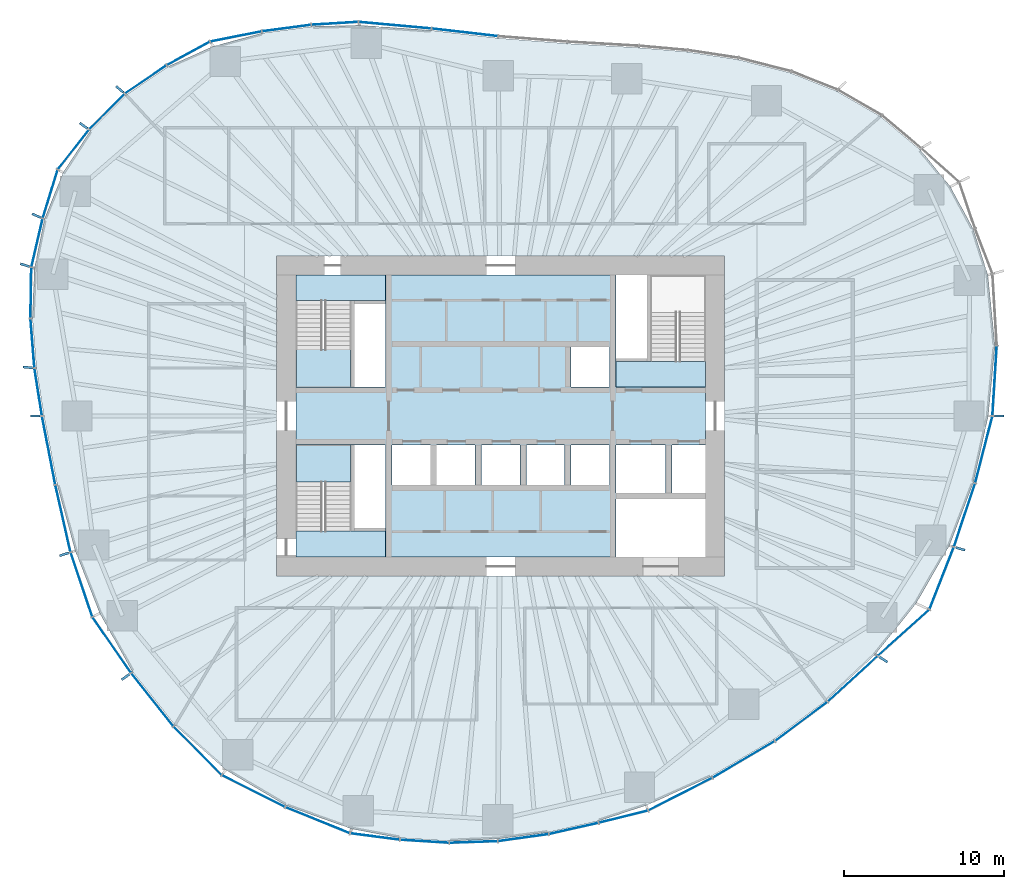
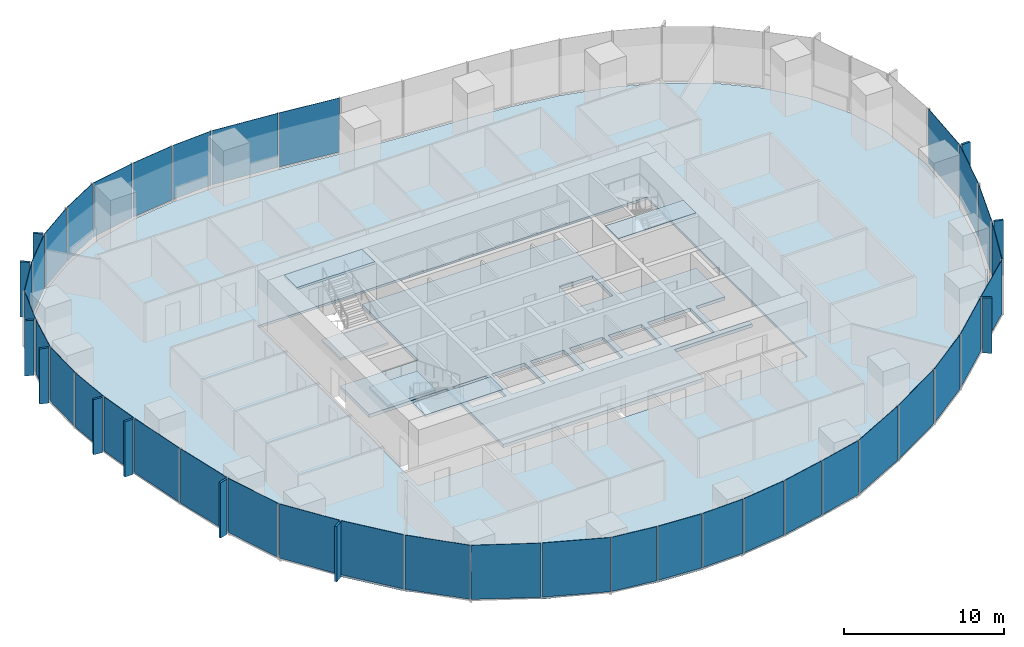
# One storey, part 7 of 20: 48 plates, 7 slabs, 19 elements without a shape of their own.
"""IFC4 building model written with IfcOpenShell, lengths in metres."""

import ifcopenshell
import ifcopenshell.guid

model = None  # the IFC model being written
_history = None  # IfcOwnerHistory: only IFC2X3 demands one
_inside = {}  # id of a spatial element -> (the spatial element, [elements in it])
_under = {}  # id of a project, library or spatial element -> (it, [spatial elements below it])
_declared = {}  # id of a project -> (the project, [libraries it declares])
_typed = {}  # id of a type object -> (the type object, [elements of that type])
_made_of = {}  # id of a material, layer set ... -> (it, [elements and type objects made of it])


def new_model(schema):
    """Start an empty IFC model of exactly this schema.

    Asked for "IFC4X3", IfcOpenShell would pick the latest addendum, in which some entities
    have other attributes; the version numbers below select the first issue.
    IFC2X3 requires an IfcOwnerHistory on every rooted entity: one is made here for all.
    """
    global model, _history
    if schema == "IFC4X3":
        model = ifcopenshell.file(schema_version=(4, 3, 0, 0))
    else:
        model = ifcopenshell.file(schema=schema)
    _inside.clear()
    _under.clear()
    _declared.clear()
    _typed.clear()
    _made_of.clear()
    _history = None
    if model.schema == "IFC2X3":
        org = make("IfcOrganization", Name="unknown")
        user = make(
            "IfcPersonAndOrganization",
            ThePerson=make("IfcPerson", FamilyName="unknown"),
            TheOrganization=org,
        )
        app = make(
            "IfcApplication",
            ApplicationDeveloper=org,
            Version="unknown",
            ApplicationFullName="unknown",
            ApplicationIdentifier="unknown",
        )
        _history = make(
            "IfcOwnerHistory",
            OwningUser=user,
            OwningApplication=app,
            ChangeAction="ADDED",
            CreationDate=0,
        )
    return model


def make(cls, **values):
    """One entity of the class cls with the attributes given. An attribute that is None is left unset."""
    return model.create_entity(
        cls, **{name: value for name, value in values.items() if value is not None}
    )


def rooted(cls, **values):
    """An entity with a GlobalId (a new one), such as an element, a storey or a relation."""
    return make(cls, GlobalId=ifcopenshell.guid.new(), OwnerHistory=_history, **values)


def si_unit(unit_type, name, prefix=None):
    """IfcSIUnit, for example si_unit("LENGTHUNIT", "METRE", prefix="MILLI")."""
    return make("IfcSIUnit", UnitType=unit_type, Prefix=prefix, Name=name)


def assignment(units):
    """IfcUnitAssignment: the units of a project."""
    return None if units is None else make("IfcUnitAssignment", Units=units)


def point(xyz):
    """IfcCartesianPoint."""
    return None if xyz is None else make("IfcCartesianPoint", Coordinates=xyz)


def direction(xyz):
    """IfcDirection."""
    return None if xyz is None else make("IfcDirection", DirectionRatios=xyz)


def frame(location, z_axis=None, x_axis=None):
    """IfcAxis2Placement3D, a coordinate frame: its origin and axes. An axis left out is left unset."""
    return make(
        "IfcAxis2Placement3D",
        Location=point(location),
        Axis=direction(z_axis),
        RefDirection=direction(x_axis),
    )


def frame_2d(location, x_axis=None):
    """IfcAxis2Placement2D, a coordinate frame in the plane: its origin and x axis."""
    return make(
        "IfcAxis2Placement2D", Location=point(location), RefDirection=direction(x_axis)
    )


def origin():
    """The frame at (0, 0, 0) with its axes left unset."""
    return frame((0.0, 0.0, 0.0))


def origin_2d():
    """The frame at (0, 0) in the plane with its x axis left unset."""
    return frame_2d((0.0, 0.0))


def place(relative_to, where):
    """IfcLocalPlacement: puts the frame where relative to a parent placement (None: the world)."""
    return make(
        "IfcLocalPlacement", PlacementRelTo=relative_to, RelativePlacement=where
    )


def context(
    kind, dimensions, precision=None, world=None, true_north=None, identifier=None
):
    """IfcGeometricRepresentationContext, for example the 3D "Model" context."""
    return make(
        "IfcGeometricRepresentationContext",
        ContextIdentifier=identifier,
        ContextType=kind,
        CoordinateSpaceDimension=dimensions,
        Precision=precision,
        WorldCoordinateSystem=world,
        TrueNorth=true_north,
    )


def subcontext(parent, identifier, kind, view, scale=None):
    """IfcGeometricRepresentationSubContext, for example "Body" below "Model"."""
    return make(
        "IfcGeometricRepresentationSubContext",
        ContextIdentifier=identifier,
        ContextType=kind,
        ParentContext=parent,
        TargetScale=scale,
        TargetView=view,
    )


def project(units=None, contexts=None):
    """IfcProject with its units and contexts."""
    return rooted(
        "IfcProject",
        Name="project",
        RepresentationContexts=contexts,
        UnitsInContext=assignment(units),
    )


def spatial(cls, under=None, at=None, **own):
    """A site, building, storey or space (cls), placed at a placement, below another one or the project."""
    s = rooted(cls, ObjectPlacement=at, **own)
    if under is not None:
        _under.setdefault(under.id(), (under, []))[1].append(s)
    return s


def polyline(points):
    """IfcPolyline through the points."""
    return make("IfcPolyline", Points=[point(p) for p in points])


def profile(cls, at=None, kind="AREA", **sizes):
    """A parametric profile (cls). Its sizes go by their IFC names, for example OverallWidth=200.0."""
    return make(cls, ProfileType=kind, Position=at, **sizes)


def rectangle(**sizes):
    """IfcRectangleProfileDef."""
    return profile("IfcRectangleProfileDef", **sizes)


def outline(outer, holes=None, kind="AREA"):
    """IfcArbitraryClosedProfileDef: a profile drawn as a closed curve; with holes, ...WithVoids."""
    if holes is None:
        return make("IfcArbitraryClosedProfileDef", ProfileType=kind, OuterCurve=outer)
    return make(
        "IfcArbitraryProfileDefWithVoids",
        ProfileType=kind,
        OuterCurve=outer,
        InnerCurves=holes,
    )


def extrude(swept, where, along, depth):
    """IfcExtrudedAreaSolid: the profile swept, set in the frame where, extruded along a direction by depth."""
    return make(
        "IfcExtrudedAreaSolid",
        SweptArea=swept,
        Position=where,
        ExtrudedDirection=direction(along),
        Depth=depth,
    )


def shape(context_of_items, identifier, shape_type, items):
    """IfcShapeRepresentation: the items that make up one representation, for example the "Body"."""
    return make(
        "IfcShapeRepresentation",
        ContextOfItems=context_of_items,
        RepresentationIdentifier=identifier,
        RepresentationType=shape_type,
        Items=items,
    )


def material(Name=None, Category=None):
    """IfcMaterial."""
    return make("IfcMaterial", Name=Name, Category=Category)


def layer(
    of_material, thickness, ventilated=None, Name=None, Category=None, Priority=None
):
    """IfcMaterialLayer: one layer of a wall or slab, of a material (None: an air gap)."""
    return make(
        "IfcMaterialLayer",
        Material=of_material,
        LayerThickness=thickness,
        IsVentilated=ventilated,
        Name=Name,
        Category=Category,
        Priority=Priority,
    )


def layer_set(layers, Name=None):
    """IfcMaterialLayerSet."""
    return make("IfcMaterialLayerSet", MaterialLayers=layers, LayerSetName=Name)


def made_of(thing, what):
    """Note that an element or type object is made of a material, layer set ...; save() writes the relation."""
    if what is not None:
        _made_of.setdefault(what.id(), (what, []))[1].append(thing)
    return thing


def type_object(cls, material=None, **own):
    """A type object (cls), such as IfcWallType, which elements share."""
    return made_of(rooted(cls, **own), material)


def element(
    cls,
    number,
    at=None,
    inside=None,
    cuts=None,
    type_object=None,
    material=None,
    context=None,
    identifier="Body",
    shape_type=None,
    held_by="IfcProductDefinitionShape",
    body=None,
    shapes=None,
    **own,
):
    """One element of the class cls, such as IfcWall. Its Tag is "e" and its number.

    at: its placement. inside: the storey or other place that contains it. cuts: it is an
    opening in that element (IfcRelVoidsElement). A single representation is given by context,
    identifier, shape_type and body (its items); several are given by shapes. held_by: the class
    of the entity that holds the representations. save() writes the other relations.
    """
    e = rooted(cls, Tag="e%d" % number, ObjectPlacement=at, **own)
    if body is not None:
        shapes = [shape(context, identifier, shape_type, body)]
    if shapes is not None:
        e.Representation = make(held_by, Representations=shapes)
    if inside is not None:
        _inside.setdefault(inside.id(), (inside, []))[1].append(e)
    if cuts is not None:
        rooted(
            "IfcRelVoidsElement", RelatingBuildingElement=cuts, RelatedOpeningElement=e
        )
    if type_object is not None:
        _typed.setdefault(type_object.id(), (type_object, []))[1].append(e)
    return made_of(e, material)


def aggregate(whole, parts):
    """IfcRelAggregates: a whole, such as a stair, and the parts it consists of."""
    return rooted("IfcRelAggregates", RelatingObject=whole, RelatedObjects=parts)


def save(model, path):
    """Write the relations noted so far, then the file.

    IfcRelAggregates (storeys below a building ...), IfcRelContainedInSpatialStructure (elements
    in a storey), IfcRelDefinesByType, IfcRelAssociatesMaterial and IfcRelDeclares: one each for
    every whole, place, type object, material and project.
    """
    for whole, parts in _under.values():
        aggregate(whole, parts)
    for where, things in _inside.values():
        rooted(
            "IfcRelContainedInSpatialStructure",
            RelatedElements=things,
            RelatingStructure=where,
        )
    for kind, things in _typed.values():
        rooted("IfcRelDefinesByType", RelatedObjects=things, RelatingType=kind)
    for what, things in _made_of.values():
        rooted("IfcRelAssociatesMaterial", RelatedObjects=things, RelatingMaterial=what)
    for by, libraries in _declared.values():
        rooted("IfcRelDeclares", RelatingContext=by, RelatedDefinitions=libraries)
    model.write(path)


model = new_model("IFC4")

# Units and contexts
model_context = context("Model", 3, precision=1e-05, world=origin(), true_north=direction((0.0, 1.0)))
body_context = subcontext(model_context, "Body", "Model", "MODEL_VIEW")
ifc_project = project(units=[si_unit("LENGTHUNIT", "METRE"), si_unit("AREAUNIT", "SQUARE_METRE"), si_unit("VOLUMEUNIT", "CUBIC_METRE"), si_unit("PLANEANGLEUNIT", "RADIAN"), si_unit("MASSUNIT", "GRAM", prefix="KILO")], contexts=[model_context])

# Site, building, storey
site_placement = place(None, origin())
site = spatial("IfcSite", under=ifc_project, at=site_placement, CompositionType="ELEMENT")
building_placement = place(site_placement, origin())
building = spatial("IfcBuilding", under=site, at=building_placement, Name="Ghaith Harvest Tower", CompositionType="ELEMENT")
storey_placement = place(building_placement, frame((0.0, 0.0, 109.199951171875)))
storey = spatial("IfcBuildingStorey", under=building, at=storey_placement, Name="L22", CompositionType="ELEMENT", Elevation=109.199951171875)

# Curtain wall, plate
ifc_material_1 = material(Name="Black anodised aluminium and fritted glass", Category="aluminium")
curtain_wall_type = type_object("IfcCurtainWallType", Name="CW-L CURTAIN WALL", PredefinedType="NOTDEFINED", material=ifc_material_1)
curtain_wall_1_placement = place(storey_placement, origin())
curtain_wall_1 = element("IfcCurtainWall", 1, at=curtain_wall_1_placement, inside=storey, type_object=curtain_wall_type, Name="Curtain wall CW-L bay 01 L22", PredefinedType="NOTDEFINED")
ifc_material_2 = material(Name="Glass, dark solar-control fritted double glazed unit", Category="glass")
ifc_layer_1 = layer(ifc_material_2, 0.031982421875)
ifc_layer_set_1 = layer_set([ifc_layer_1], Name="CW-L VISION PANEL")
plate_type_1 = type_object("IfcPlateType", Name="CW-L VISION PANEL", PredefinedType="CURTAIN_PANEL", material=ifc_layer_set_1)
plate_1_placement = place(storey_placement, frame((30.86376953125, 2.19482421875, 0.080078125), z_axis=(0.0, 0.0, 1.0), x_axis=(0.061379619468, 0.99811449359, 0.0)))
plate_1 = element("IfcPlate", 2, at=plate_1_placement, type_object=plate_type_1, Name="CW-L glass unit 1 bay 01 L22", PredefinedType="CURTAIN_PANEL", context=body_context, shape_type="SweptSolid", body=[
    extrude(rectangle(XDim=4.318115234375, YDim=0.031982421875, at=origin_2d()), origin(), (0.0, 0.0, 1.0), 4.1201171875),
])
aggregate(curtain_wall_1, [plate_1])

# Curtain wall, plates
curtain_wall_2_placement = place(storey_placement, origin())
curtain_wall_2 = element("IfcCurtainWall", 3, at=curtain_wall_2_placement, inside=storey, type_object=curtain_wall_type, Name="Curtain wall CW-L bay 06 L22", PredefinedType="NOTDEFINED")
plate_2_placement = place(storey_placement, frame((-2.24267578125, 23.968505859375, 0.080078125), z_axis=(0.0, 0.0, 1.0), x_axis=(-0.993477024646, 0.114032458099, 0.0)))
plate_2 = element("IfcPlate", 4, at=plate_2_placement, type_object=plate_type_1, Name="CW-L glass unit 1 bay 06 L22", PredefinedType="CURTAIN_PANEL", context=body_context, shape_type="SweptSolid", body=[
    extrude(rectangle(XDim=4.10791015625, YDim=0.031982421875, at=origin_2d()), origin(), (0.0, 0.0, 1.0), 4.1201171875),
])
plate_3_placement = place(storey_placement, frame((-6.607666015625, 24.4140625, 0.080078125), z_axis=(0.0, 0.0, 1.0), x_axis=(-0.995928776302, 0.090143621701, 0.0)))
plate_3 = element("IfcPlate", 5, at=plate_3_placement, type_object=plate_type_1, Name="CW-L glass unit 2 bay 06 L22", PredefinedType="CURTAIN_PANEL", context=body_context, shape_type="SweptSolid", body=[
    extrude(rectangle(XDim=4.508056640625, YDim=0.031982421875, at=origin_2d()), origin(), (0.0, 0.0, 1.0), 4.1201171875),
])
aggregate(curtain_wall_2, [plate_2, plate_3])

curtain_wall_3_placement = place(storey_placement, origin())
curtain_wall_3 = element("IfcCurtainWall", 6, at=curtain_wall_3_placement, inside=storey, type_object=curtain_wall_type, Name="Curtain wall CW-L bay 07 L22", PredefinedType="NOTDEFINED")
plate_4_placement = place(storey_placement, frame((-10.36669921875, 24.5302734375, 0.080078125), z_axis=(0.0, 0.0, 1.0), x_axis=(-0.998119199641, -0.061303044853, 0.0)))
plate_4 = element("IfcPlate", 7, at=plate_4_placement, type_object=plate_type_1, Name="CW-L glass unit 1 bay 07 L22", PredefinedType="CURTAIN_PANEL", context=body_context, shape_type="SweptSolid", body=[
    extrude(rectangle(XDim=2.874267578125, YDim=0.031982421875, at=origin_2d()), origin(), (0.0, 0.0, 1.0), 4.1201171875),
])
plate_5_placement = place(storey_placement, frame((-13.382568359375, 24.23486328125, 0.080078125), z_axis=(0.0, 0.0, 1.0), x_axis=(-0.991285895369, -0.131728029071, 0.0)))
plate_5 = element("IfcPlate", 8, at=plate_5_placement, type_object=plate_type_1, Name="CW-L glass unit 2 bay 07 L22", PredefinedType="CURTAIN_PANEL", context=body_context, shape_type="SweptSolid", body=[
    extrude(rectangle(XDim=3.02978515625, YDim=0.031982421875, at=origin_2d()), origin(), (0.0, 0.0, 1.0), 4.1201171875),
])
plate_6_placement = place(storey_placement, frame((-16.54443359375, 23.7099609375, 0.080078125), z_axis=(0.0, 0.0, 1.0), x_axis=(-0.981037550101, -0.193817763096, 0.0)))
plate_6 = element("IfcPlate", 9, at=plate_6_placement, type_object=plate_type_1, Name="CW-L glass unit 3 bay 07 L22", PredefinedType="CURTAIN_PANEL", context=body_context, shape_type="SweptSolid", body=[
    extrude(rectangle(XDim=3.22412109375, YDim=0.031982421875, at=origin_2d()), origin(), (0.0, 0.0, 1.0), 4.1201171875),
])
aggregate(curtain_wall_3, [plate_4, plate_5, plate_6])

curtain_wall_4_placement = place(storey_placement, origin())
curtain_wall_4 = element("IfcCurtainWall", 10, at=curtain_wall_4_placement, inside=storey, type_object=curtain_wall_type, Name="Curtain wall CW-L bay 08 L22", PredefinedType="NOTDEFINED")
plate_7_placement = place(storey_placement, frame((-19.520263671875, 22.650634765625, 0.080078125), z_axis=(0.0, 0.0, 1.0), x_axis=(-0.877940384665, -0.478769966659, 0.0)))
plate_7 = element("IfcPlate", 11, at=plate_7_placement, type_object=plate_type_1, Name="CW-L glass unit 1 bay 08 L22", PredefinedType="CURTAIN_PANEL", context=body_context, shape_type="SweptSolid", body=[
    extrude(rectangle(XDim=3.007080078125, YDim=0.031982421875, at=origin_2d()), origin(), (0.0, 0.0, 1.0), 4.1201171875),
])
plate_8_placement = place(storey_placement, frame((-22.182373046875, 21.025390625, 0.080078125), z_axis=(0.0, 0.0, 1.0), x_axis=(-0.827674847773, -0.561207935051, 0.0)))
plate_8 = element("IfcPlate", 12, at=plate_8_placement, type_object=plate_type_1, Name="CW-L glass unit 2 bay 08 L22", PredefinedType="CURTAIN_PANEL", context=body_context, shape_type="SweptSolid", body=[
    extrude(rectangle(XDim=3.078369140625, YDim=0.031982421875, at=origin_2d()), origin(), (0.0, 0.0, 1.0), 4.1201171875),
])
plate_9_placement = place(storey_placement, frame((-24.603759765625, 19.01708984375, 0.080078125), z_axis=(0.0, 0.0, 1.0), x_axis=(-0.704613943896, -0.709590861037, 0.0)))
plate_9 = element("IfcPlate", 13, at=plate_9_placement, type_object=plate_type_1, Name="CW-L glass unit 3 bay 08 L22", PredefinedType="CURTAIN_PANEL", context=body_context, shape_type="SweptSolid", body=[
    extrude(rectangle(XDim=3.0830078125, YDim=0.031982421875, at=origin_2d()), origin(), (0.0, 0.0, 1.0), 4.1201171875),
])
aggregate(curtain_wall_4, [plate_7, plate_8, plate_9])

curtain_wall_5_placement = place(storey_placement, origin())
curtain_wall_5 = element("IfcCurtainWall", 14, at=curtain_wall_5_placement, inside=storey, type_object=curtain_wall_type, Name="Curtain wall CW-L bay 09 L22", PredefinedType="NOTDEFINED")
plate_10_placement = place(storey_placement, frame((-26.69873046875, 16.644775390625, 0.080078125), z_axis=(0.0, 0.0, 1.0), x_axis=(-0.617140806324, -0.786852734106, 0.0)))
plate_10 = element("IfcPlate", 15, at=plate_10_placement, type_object=plate_type_1, Name="CW-L glass unit 1 bay 09 L22", PredefinedType="CURTAIN_PANEL", context=body_context, shape_type="SweptSolid", body=[
    extrude(rectangle(XDim=3.09765625, YDim=0.031982421875, at=origin_2d()), origin(), (0.0, 0.0, 1.0), 4.1201171875),
])
plate_11_placement = place(storey_placement, frame((-28.14794921875, 13.869140625, 0.080078125), z_axis=(0.0, 0.0, 1.0), x_axis=(-0.293802674087, -0.955866093498, 0.0)))
plate_11 = element("IfcPlate", 16, at=plate_11_placement, type_object=plate_type_1, Name="CW-L glass unit 2 bay 09 L22", PredefinedType="CURTAIN_PANEL", context=body_context, shape_type="SweptSolid", body=[
    extrude(rectangle(XDim=3.111328125, YDim=0.031982421875, at=origin_2d()), origin(), (0.0, 0.0, 1.0), 4.1201171875),
])
plate_12_placement = place(storey_placement, frame((-28.9716796875, 10.819091796875, 0.080078125), z_axis=(0.0, 0.0, 1.0), x_axis=(-0.226698962458, -0.973964876379, 0.0)))
plate_12 = element("IfcPlate", 17, at=plate_12_placement, type_object=plate_type_1, Name="CW-L glass unit 3 bay 09 L22", PredefinedType="CURTAIN_PANEL", context=body_context, shape_type="SweptSolid", body=[
    extrude(rectangle(XDim=3.05126953125, YDim=0.031982421875, at=origin_2d()), origin(), (0.0, 0.0, 1.0), 4.1201171875),
])
aggregate(curtain_wall_5, [plate_10, plate_11, plate_12])

curtain_wall_6_placement = place(storey_placement, origin())
curtain_wall_6 = element("IfcCurtainWall", 18, at=curtain_wall_6_placement, inside=storey, type_object=curtain_wall_type, Name="Curtain wall CW-L bay 10 L22", PredefinedType="NOTDEFINED")
plate_13_placement = place(storey_placement, frame((-29.352294921875, 7.695068359375, 0.080078125), z_axis=(0.0, 0.0, 1.0), x_axis=(-0.016034106433, -0.999871445452, 0.0)))
plate_13 = element("IfcPlate", 19, at=plate_13_placement, type_object=plate_type_1, Name="CW-L glass unit 1 bay 10 L22", PredefinedType="CURTAIN_PANEL", context=body_context, shape_type="SweptSolid", body=[
    extrude(rectangle(XDim=3.118408203125, YDim=0.031982421875, at=origin_2d()), origin(), (0.0, 0.0, 1.0), 4.1201171875),
])
plate_14_placement = place(storey_placement, frame((-29.25439453125, 4.54345703125, 0.080078125), z_axis=(0.0, 0.0, 1.0), x_axis=(0.079273335663, -0.996852917061, 0.0)))
plate_14 = element("IfcPlate", 20, at=plate_14_placement, type_object=plate_type_1, Name="CW-L glass unit 2 bay 10 L22", PredefinedType="CURTAIN_PANEL", context=body_context, shape_type="SweptSolid", body=[
    extrude(rectangle(XDim=3.035400390625, YDim=0.031982421875, at=origin_2d()), origin(), (0.0, 0.0, 1.0), 4.1201171875),
])
plate_15_placement = place(storey_placement, frame((-28.896240234375, 1.495361328125, 0.080078125), z_axis=(0.0, 0.0, 1.0), x_axis=(0.155172175389, -0.987887440949, 0.0)))
plate_15 = element("IfcPlate", 21, at=plate_15_placement, type_object=plate_type_1, Name="CW-L glass unit 3 bay 10 L22", PredefinedType="CURTAIN_PANEL", context=body_context, shape_type="SweptSolid", body=[
    extrude(rectangle(XDim=2.947265625, YDim=0.031982421875, at=origin_2d()), origin(), (0.0, 0.0, 1.0), 4.1201171875),
])
aggregate(curtain_wall_6, [plate_13, plate_14, plate_15])

curtain_wall_7_placement = place(storey_placement, origin())
curtain_wall_7 = element("IfcCurtainWall", 22, at=curtain_wall_7_placement, inside=storey, type_object=curtain_wall_type, Name="Curtain wall CW-L bay 11 L22", PredefinedType="NOTDEFINED")
plate_16_placement = place(storey_placement, frame((-28.24462890625, -2.152099609375, 0.080078125), z_axis=(0.0, 0.0, 1.0), x_axis=(0.190044913274, -0.981775397399, 0.0)))
plate_16 = element("IfcPlate", 23, at=plate_16_placement, type_object=plate_type_1, Name="CW-L glass unit 1 bay 11 L22", PredefinedType="CURTAIN_PANEL", context=body_context, shape_type="SweptSolid", body=[
    extrude(rectangle(XDim=4.303955078125, YDim=0.031982421875, at=origin_2d()), origin(), (0.0, 0.0, 1.0), 4.1201171875),
])
plate_17_placement = place(storey_placement, frame((-27.351806640625, -6.41064453125, 0.080078125), z_axis=(0.0, 0.0, 1.0), x_axis=(0.220483469245, -0.975390711351, 0.0)))
plate_17 = element("IfcPlate", 24, at=plate_17_placement, type_object=plate_type_1, Name="CW-L glass unit 2 bay 11 L22", PredefinedType="CURTAIN_PANEL", context=body_context, shape_type="SweptSolid", body=[
    extrude(rectangle(XDim=4.239501953125, YDim=0.031982421875, at=origin_2d()), origin(), (0.0, 0.0, 1.0), 4.1201171875),
])
aggregate(curtain_wall_7, [plate_16, plate_17])

curtain_wall_8_placement = place(storey_placement, origin())
curtain_wall_8 = element("IfcCurtainWall", 25, at=curtain_wall_8_placement, inside=storey, type_object=curtain_wall_type, Name="Curtain wall CW-L bay 12 L22", PredefinedType="NOTDEFINED")
plate_18_placement = place(storey_placement, frame((-26.194580078125, -10.537841796875, 0.080078125), z_axis=(0.0, 0.0, 1.0), x_axis=(0.319477383729, -0.947593901039, 0.0)))
plate_18 = element("IfcPlate", 26, at=plate_18_placement, type_object=plate_type_1, Name="CW-L glass unit 1 bay 12 L22", PredefinedType="CURTAIN_PANEL", context=body_context, shape_type="SweptSolid", body=[
    extrude(rectangle(XDim=4.184326171875, YDim=0.031982421875, at=origin_2d()), origin(), (0.0, 0.0, 1.0), 4.1201171875),
])
plate_19_placement = place(storey_placement, frame((-24.3017578125, -14.312255859375, 0.080078125), z_axis=(0.0, 0.0, 1.0), x_axis=(0.568347699633, -0.822788485774, 0.0)))
plate_19 = element("IfcPlate", 27, at=plate_19_placement, type_object=plate_type_1, Name="CW-L glass unit 2 bay 12 L22", PredefinedType="CURTAIN_PANEL", context=body_context, shape_type="SweptSolid", body=[
    extrude(rectangle(XDim=4.18359375, YDim=0.031982421875, at=origin_2d()), origin(), (0.0, 0.0, 1.0), 4.1201171875),
])
aggregate(curtain_wall_8, [plate_18, plate_19])

curtain_wall_9_placement = place(storey_placement, origin())
curtain_wall_9 = element("IfcCurtainWall", 28, at=curtain_wall_9_placement, inside=storey, type_object=curtain_wall_type, Name="Curtain wall CW-L bay 13 L22", PredefinedType="NOTDEFINED")
plate_20_placement = place(storey_placement, frame((-21.765625, -17.7314453125, 0.080078125), z_axis=(0.0, 0.0, 1.0), x_axis=(0.622507360482, -0.782613944513, 0.0)))
plate_20 = element("IfcPlate", 29, at=plate_20_placement, type_object=plate_type_1, Name="CW-L glass unit 1 bay 13 L22", PredefinedType="CURTAIN_PANEL", context=body_context, shape_type="SweptSolid", body=[
    extrude(rectangle(XDim=4.175537109375, YDim=0.031982421875, at=origin_2d()), origin(), (0.0, 0.0, 1.0), 4.1201171875),
])
plate_21_placement = place(storey_placement, frame((-18.935791015625, -20.920166015625, 0.080078125), z_axis=(0.0, 0.0, 1.0), x_axis=(0.702843151286, -0.711344856375, 0.0)))
plate_21 = element("IfcPlate", 30, at=plate_21_placement, type_object=plate_type_1, Name="CW-L glass unit 2 bay 13 L22", PredefinedType="CURTAIN_PANEL", context=body_context, shape_type="SweptSolid", body=[
    extrude(rectangle(XDim=4.203369140625, YDim=0.031982421875, at=origin_2d()), origin(), (0.0, 0.0, 1.0), 4.1201171875),
])
aggregate(curtain_wall_9, [plate_20, plate_21])

curtain_wall_10_placement = place(storey_placement, origin())
curtain_wall_10 = element("IfcCurtainWall", 31, at=curtain_wall_10_placement, inside=storey, type_object=curtain_wall_type, Name="Curtain wall CW-L bay 14 L22", PredefinedType="NOTDEFINED")
plate_22_placement = place(storey_placement, frame((-15.44677734375, -23.443115234375, 0.080078125), z_axis=(0.0, 0.0, 1.0), x_axis=(0.893062297869, -0.449933030712, 0.0)))
plate_22 = element("IfcPlate", 32, at=plate_22_placement, type_object=plate_type_1, Name="CW-L glass unit 1 bay 14 L22", PredefinedType="CURTAIN_PANEL", context=body_context, shape_type="SweptSolid", body=[
    extrude(rectangle(XDim=4.362548828125, YDim=0.031982421875, at=origin_2d()), origin(), (0.0, 0.0, 1.0), 4.1201171875),
])
plate_23_placement = place(storey_placement, frame((-11.441162109375, -25.260498046875, 0.080078125), z_axis=(0.0, 0.0, 1.0), x_axis=(0.927002522537, -0.375055093567, 0.0)))
plate_23 = element("IfcPlate", 33, at=plate_23_placement, type_object=plate_type_1, Name="CW-L glass unit 2 bay 14 L22", PredefinedType="CURTAIN_PANEL", context=body_context, shape_type="SweptSolid", body=[
    extrude(rectangle(XDim=4.282470703125, YDim=0.031982421875, at=origin_2d()), origin(), (0.0, 0.0, 1.0), 4.1201171875),
])
aggregate(curtain_wall_10, [plate_22, plate_23])

curtain_wall_11_placement = place(storey_placement, origin())
curtain_wall_11 = element("IfcCurtainWall", 34, at=curtain_wall_11_placement, inside=storey, type_object=curtain_wall_type, Name="Curtain wall CW-L bay 15 L22", PredefinedType="NOTDEFINED")
plate_24_placement = place(storey_placement, frame((-7.856689453125, -26.281005859375, 0.080078125), z_axis=(0.0, 0.0, 1.0), x_axis=(0.99172348392, -0.128392100386, 0.0)))
plate_24 = element("IfcPlate", 35, at=plate_24_placement, type_object=plate_type_1, Name="CW-L glass unit 1 bay 15 L22", PredefinedType="CURTAIN_PANEL", context=body_context, shape_type="SweptSolid", body=[
    extrude(rectangle(XDim=3.07080078125, YDim=0.031982421875, at=origin_2d()), origin(), (0.0, 0.0, 1.0), 4.1201171875),
])
plate_25_placement = place(storey_placement, frame((-4.7568359375, -26.57958984375, 0.080078125), z_axis=(0.0, 0.0, 1.0), x_axis=(0.998038280843, -0.062606628824, 0.0)))
plate_25 = element("IfcPlate", 36, at=plate_25_placement, type_object=plate_type_1, Name="CW-L glass unit 2 bay 15 L22", PredefinedType="CURTAIN_PANEL", context=body_context, shape_type="SweptSolid", body=[
    extrude(rectangle(XDim=3.001220703125, YDim=0.031982421875, at=origin_2d()), origin(), (0.0, 0.0, 1.0), 4.1201171875),
])
plate_26_placement = place(storey_placement, frame((-1.700439453125, -26.624755859375, 0.080078125), z_axis=(0.0, 0.0, 1.0), x_axis=(0.999431515426, 0.033714180603, 0.0)))
plate_26 = element("IfcPlate", 37, at=plate_26_placement, type_object=plate_type_1, Name="CW-L glass unit 3 bay 15 L22", PredefinedType="CURTAIN_PANEL", context=body_context, shape_type="SweptSolid", body=[
    extrude(rectangle(XDim=2.958984375, YDim=0.031982421875, at=origin_2d()), origin(), (0.0, 0.0, 1.0), 4.1201171875),
])
aggregate(curtain_wall_11, [plate_24, plate_25, plate_26])

curtain_wall_12_placement = place(storey_placement, origin())
curtain_wall_12 = element("IfcCurtainWall", 38, at=curtain_wall_12_placement, inside=storey, type_object=curtain_wall_type, Name="Curtain wall CW-L bay 16 L22", PredefinedType="NOTDEFINED")
plate_27_placement = place(storey_placement, frame((1.4140625, -26.3515625, 0.080078125), z_axis=(0.0, 0.0, 1.0), x_axis=(0.990448098003, 0.137886058621, 0.0)))
plate_27 = element("IfcPlate", 39, at=plate_27_placement, type_object=plate_type_1, Name="CW-L glass unit 1 bay 16 L22", PredefinedType="CURTAIN_PANEL", context=body_context, shape_type="SweptSolid", body=[
    extrude(rectangle(XDim=3.142578125, YDim=0.031982421875, at=origin_2d()), origin(), (0.0, 0.0, 1.0), 4.1201171875),
])
plate_28_placement = place(storey_placement, frame((4.565185546875, -25.77734375, 0.080078125), z_axis=(0.0, 0.0, 1.0), x_axis=(0.975341754172, 0.220699937852, 0.0)))
plate_28 = element("IfcPlate", 40, at=plate_28_placement, type_object=plate_type_1, Name="CW-L glass unit 2 bay 16 L22", PredefinedType="CURTAIN_PANEL", context=body_context, shape_type="SweptSolid", body=[
    extrude(rectangle(XDim=3.10888671875, YDim=0.031982421875, at=origin_2d()), origin(), (0.0, 0.0, 1.0), 4.1201171875),
])
plate_29_placement = place(storey_placement, frame((7.66845703125, -25.0400390625, 0.080078125), z_axis=(0.0, 0.0, 1.0), x_axis=(0.970384283801, 0.241566433413, 0.0)))
plate_29 = element("IfcPlate", 41, at=plate_29_placement, type_object=plate_type_1, Name="CW-L glass unit 3 bay 16 L22", PredefinedType="CURTAIN_PANEL", context=body_context, shape_type="SweptSolid", body=[
    extrude(rectangle(XDim=3.111083984375, YDim=0.031982421875, at=origin_2d()), origin(), (0.0, 0.0, 1.0), 4.1201171875),
])
aggregate(curtain_wall_12, [plate_27, plate_28, plate_29])

curtain_wall_13_placement = place(storey_placement, origin())
curtain_wall_13 = element("IfcCurtainWall", 42, at=curtain_wall_13_placement, inside=storey, type_object=curtain_wall_type, Name="Curtain wall CW-L bay 17 L22", PredefinedType="NOTDEFINED")
plate_30_placement = place(storey_placement, frame((11.220703125, -23.63427734375, 0.080078125), z_axis=(0.0, 0.0, 1.0), x_axis=(0.891126766056, 0.453754434489, 0.0)))
plate_30 = element("IfcPlate", 43, at=plate_30_placement, type_object=plate_type_1, Name="CW-L glass unit 1 bay 17 L22", PredefinedType="CURTAIN_PANEL", context=body_context, shape_type="SweptSolid", body=[
    extrude(rectangle(XDim=4.417236328125, YDim=0.031982421875, at=origin_2d()), origin(), (0.0, 0.0, 1.0), 4.1201171875),
])
plate_31_placement = place(storey_placement, frame((15.17822265625, -21.46484375, 0.080078125), z_axis=(0.0, 0.0, 1.0), x_axis=(0.861979497965, 0.506943137924, 0.0)))
plate_31 = element("IfcPlate", 44, at=plate_31_placement, type_object=plate_type_1, Name="CW-L glass unit 2 bay 17 L22", PredefinedType="CURTAIN_PANEL", context=body_context, shape_type="SweptSolid", body=[
    extrude(rectangle(XDim=4.453125, YDim=0.031982421875, at=origin_2d()), origin(), (0.0, 0.0, 1.0), 4.1201171875),
])
aggregate(curtain_wall_13, [plate_30, plate_31])

curtain_wall_14_placement = place(storey_placement, origin())
curtain_wall_14 = element("IfcCurtainWall", 45, at=curtain_wall_14_placement, inside=storey, type_object=curtain_wall_type, Name="Curtain wall CW-L bay 18 L22", PredefinedType="NOTDEFINED")
plate_32_placement = place(storey_placement, frame((18.78076171875, -19.08984375, 0.080078125), z_axis=(0.0, 0.0, 1.0), x_axis=(0.802462370117, 0.596702727115, 0.0)))
plate_32 = element("IfcPlate", 46, at=plate_32_placement, type_object=plate_type_1, Name="CW-L glass unit 1 bay 18 L22", PredefinedType="CURTAIN_PANEL", context=body_context, shape_type="SweptSolid", body=[
    extrude(rectangle(XDim=4.029541015625, YDim=0.031982421875, at=origin_2d()), origin(), (0.0, 0.0, 1.0), 4.1201171875),
])
plate_33_placement = place(storey_placement, frame((21.9951171875, -16.428955078125, 0.080078125), z_axis=(0.0, 0.0, 1.0), x_axis=(0.737201663563, 0.675672781189, 0.0)))
plate_33 = element("IfcPlate", 47, at=plate_33_placement, type_object=plate_type_1, Name="CW-L glass unit 2 bay 18 L22", PredefinedType="CURTAIN_PANEL", context=body_context, shape_type="SweptSolid", body=[
    extrude(rectangle(XDim=4.1669921875, YDim=0.031982421875, at=origin_2d()), origin(), (0.0, 0.0, 1.0), 4.1201171875),
])
aggregate(curtain_wall_14, [plate_32, plate_33])

curtain_wall_15_placement = place(storey_placement, origin())
curtain_wall_15 = element("IfcCurtainWall", 48, at=curtain_wall_15_placement, inside=storey, type_object=curtain_wall_type, Name="Curtain wall CW-L bay 19 L22", PredefinedType="NOTDEFINED")
plate_34_placement = place(storey_placement, frame((25.17333984375, -13.54345703125, 0.080078125), z_axis=(0.0, 0.0, 1.0), x_axis=(0.743493028761, 0.668743684968, 0.0)))
plate_34 = element("IfcPlate", 49, at=plate_34_placement, type_object=plate_type_1, Name="CW-L glass unit 1 bay 19 L22", PredefinedType="CURTAIN_PANEL", context=body_context, shape_type="SweptSolid", body=[
    extrude(rectangle(XDim=4.2587890625, YDim=0.031982421875, at=origin_2d()), origin(), (0.0, 0.0, 1.0), 4.1201171875),
])
plate_35_placement = place(storey_placement, frame((27.552978515625, -10.138916015625, 0.080078125), z_axis=(0.0, 0.0, 1.0), x_axis=(0.365226458984, 0.930918704108, 0.0)))
plate_35 = element("IfcPlate", 50, at=plate_35_placement, type_object=plate_type_1, Name="CW-L glass unit 2 bay 19 L22", PredefinedType="CURTAIN_PANEL", context=body_context, shape_type="SweptSolid", body=[
    extrude(rectangle(XDim=4.11767578125, YDim=0.031982421875, at=origin_2d()), origin(), (0.0, 0.0, 1.0), 4.1201171875),
])
aggregate(curtain_wall_15, [plate_34, plate_35])

curtain_wall_16_placement = place(storey_placement, origin())
curtain_wall_16 = element("IfcCurtainWall", 51, at=curtain_wall_16_placement, inside=storey, type_object=curtain_wall_type, Name="Curtain wall CW-L bay 20 L22", PredefinedType="NOTDEFINED")
plate_36_placement = place(storey_placement, frame((28.982666015625, -6.191650390625, 0.080078125), z_axis=(0.0, 0.0, 1.0), x_axis=(0.315708038084, 0.948856382541, 0.0)))
plate_36 = element("IfcPlate", 52, at=plate_36_placement, type_object=plate_type_1, Name="CW-L glass unit 1 bay 20 L22", PredefinedType="CURTAIN_PANEL", context=body_context, shape_type="SweptSolid", body=[
    extrude(rectangle(XDim=4.12158203125, YDim=0.031982421875, at=origin_2d()), origin(), (0.0, 0.0, 1.0), 4.1201171875),
])
plate_37_placement = place(storey_placement, frame((30.187255859375, -2.09912109375, 0.080078125), z_axis=(0.0, 0.0, 1.0), x_axis=(0.24974411022, 0.968311870944, 0.0)))
plate_37 = element("IfcPlate", 53, at=plate_37_placement, type_object=plate_type_1, Name="CW-L glass unit 2 bay 20 L22", PredefinedType="CURTAIN_PANEL", context=body_context, shape_type="SweptSolid", body=[
    extrude(rectangle(XDim=4.255615234375, YDim=0.031982421875, at=origin_2d()), origin(), (0.0, 0.0, 1.0), 4.1201171875),
])
aggregate(curtain_wall_16, [plate_36, plate_37])

# Slabs
ifc_material_3 = material(Name="Concrete C40/50", Category="concrete")
ifc_layer_2 = layer(ifc_material_3, 0.169921875)
ifc_layer_set_2 = layer_set([ifc_layer_2], Name="FLOOR SLAB 170")
slab_type_1 = type_object("IfcSlabType", Name="FLOOR SLAB 170", PredefinedType="FLOOR", material=ifc_layer_set_2)
slab_1_placement = place(storey_placement, frame((0.0, 0.0, -0.169921875)))
element("IfcSlab", 54, at=slab_1_placement, inside=storey, type_object=slab_type_1, Name="Floor slab L22", PredefinedType="FLOOR", context=body_context, shape_type="SweptSolid", body=[
    extrude(outline(polyline([(30.458740234375, 0.0), (30.8798828125, 4.373046875), (30.439208984375, 8.797607421875), (29.52294921875, 11.671875), (28.0888671875, 14.32568359375), (26.179443359375, 16.660888671875), (23.7275390625, 18.718017578125), (20.97998046875, 20.3056640625), (18.0849609375, 21.4462890625), (14.79833984375, 22.27978515625), (11.617919921875, 22.757080078125), (8.604736328125, 23.017333984375), (4.125732421875, 23.272705078125), (-0.16162109375, 23.609619140625), (-4.302001953125, 24.089111328125), (-8.814208984375, 24.404541015625), (-11.788818359375, 24.331787109375), (-14.860595703125, 23.927978515625), (-17.938232421875, 23.097412109375), (-20.79248046875, 21.82470703125), (-23.398193359375, 20.06103515625), (-25.61962890625, 17.826416015625), (-27.33837890625, 15.204833984375), (-28.506591796875, 12.29638671875), (-29.12646484375, 9.230712890625), (-29.260498046875, 6.07177734375), (-29.01171875, 2.978271484375), (-28.541259765625, 0.0), (-27.70947265625, -4.285888671875), (-26.580078125, -8.423583984375), (-25.046875, -12.32861328125), (-22.99169921875, -15.997802734375), (-20.35400390625, -19.31396484375), (-17.1728515625, -22.11181640625), (-13.4052734375, -24.33740234375), (-9.317138671875, -25.79638671875), (-6.2666015625, -26.366455078125), (-3.204833984375, -26.556884765625), (-0.180908203125, -26.423583984375), (2.99609375, -26.010009765625), (6.09228515625, -25.308837890625), (9.09423828125, -24.326904296875), (13.163818359375, -22.510498046875), (17.054443359375, -20.22412109375), (20.33935546875, -17.784912109375), (23.400390625, -14.89208984375), (25.94775390625, -11.714111328125), (28.03125, -8.1015625), (29.527099609375, -4.181396484375), (30.458740234375, 0.0)]), holes=[polyline([(-14.0, -10.0), (14.0, -10.0), (14.0, 10.0), (-14.0, 10.0), (-14.0, -10.0)])]), origin(), (0.0, 0.0, 1.0), 0.169921875),
])
ifc_material_4 = material(Name="Concrete C40/50", Category="concrete")
ifc_layer_3 = layer(ifc_material_4, 0.25)
ifc_layer_set_3 = layer_set([ifc_layer_3], Name="FLOOR SLAB 250")
slab_type_2 = type_object("IfcSlabType", Name="FLOOR SLAB 250", PredefinedType="FLOOR", material=ifc_layer_set_3)
slab_2_placement = place(storey_placement, frame((0.0, 0.0, -0.25)))
element("IfcSlab", 55, at=slab_2_placement, inside=storey, type_object=slab_type_2, Name="Core slab L22", PredefinedType="FLOOR", context=body_context, shape_type="SweptSolid", body=[
    extrude(outline(polyline([(-12.800048828125, 1.800048828125), (-7.199951171875, 1.800048828125), (-7.199951171875, 8.800048828125), (7.199951171875, 8.800048828125), (7.199951171875, 1.800048828125), (12.800048828125, 1.800048828125), (12.800048828125, -1.800048828125), (10.699951171875, -1.800048828125), (10.699951171875, -4.800048828125), (12.800048828125, -4.800048828125), (12.800048828125, -5.199951171875), (7.199951171875, -5.199951171875), (7.199951171875, -8.800048828125), (-7.199951171875, -8.800048828125), (-7.199951171875, -1.800048828125), (-12.800048828125, -1.800048828125), (-12.800048828125, 1.800048828125)]), holes=[polyline([(-4.39990234375, -4.300048828125), (-4.39990234375, -1.800048828125), (-6.800048828125, -1.800048828125), (-6.800048828125, -4.300048828125), (-4.39990234375, -4.300048828125)]), polyline([(-1.60009765625, -4.300048828125), (-1.60009765625, -1.800048828125), (-4.0, -1.800048828125), (-4.0, -4.300048828125), (-1.60009765625, -4.300048828125)]), polyline([(1.199951171875, -1.800048828125), (-1.199951171875, -1.800048828125), (-1.199951171875, -4.300048828125), (1.199951171875, -4.300048828125), (1.199951171875, -1.800048828125)]), polyline([(4.0, -4.300048828125), (4.0, -1.800048828125), (1.60009765625, -1.800048828125), (1.60009765625, -4.300048828125), (4.0, -4.300048828125)]), polyline([(10.300048828125, -4.800048828125), (10.300048828125, -1.800048828125), (7.199951171875, -1.800048828125), (7.199951171875, -4.800048828125), (10.300048828125, -4.800048828125)]), polyline([(6.800048828125, -1.800048828125), (4.39990234375, -1.800048828125), (4.39990234375, -4.300048828125), (6.800048828125, -4.300048828125), (6.800048828125, -1.800048828125)]), polyline([(6.800048828125, 1.800048828125), (6.800048828125, 4.300048828125), (4.39990234375, 4.300048828125), (4.39990234375, 1.800048828125), (6.800048828125, 1.800048828125)])]), origin(), (0.0, 0.0, 1.0), 0.25),
])

# Stair, slabs
ifc_material_5 = material(Name="Concrete C40/50, precast", Category="concrete")
stair_type = type_object("IfcStairType", Name="CORE STAIR 24R", PredefinedType="HALF_TURN_STAIR", material=ifc_material_5)
stair_1_placement = place(storey_placement, origin())
stair_1 = element("IfcStair", 56, at=stair_1_placement, inside=storey, type_object=stair_type, Name="Stair ST1 L22", PredefinedType="HALF_TURN_STAIR")
ifc_material_6 = material(Name="Concrete C40/50, precast", Category="concrete")
ifc_layer_4 = layer(ifc_material_6, 0.179931640625)
ifc_layer_set_4 = layer_set([ifc_layer_4], Name="STAIR LANDING 180")
slab_type_3 = type_object("IfcSlabType", Name="STAIR LANDING 180", PredefinedType="LANDING", material=ifc_layer_set_4)
slab_3_placement = place(storey_placement, frame((0.0, 0.0, 1.920166015625)))
slab_3 = element("IfcSlab", 57, at=slab_3_placement, type_object=slab_type_3, Name="ST1 landing 1", PredefinedType="LANDING", context=body_context, shape_type="SweptSolid", body=[
    extrude(outline(polyline([(-12.800048828125, 4.139892578125), (-12.800048828125, 1.77490234375), (-9.35009765625, 1.77490234375), (-9.35009765625, 4.139892578125), (-12.800048828125, 4.139892578125)])), origin(), (0.0, 0.0, 1.0), 0.179931640625),
])
slab_4_placement = place(storey_placement, frame((0.0, 0.0, 4.02001953125)))
slab_4 = element("IfcSlab", 58, at=slab_4_placement, type_object=slab_type_3, Name="ST1 landing 2", PredefinedType="LANDING", context=body_context, shape_type="SweptSolid", body=[
    extrude(outline(polyline([(-12.800048828125, 8.800048828125), (-12.800048828125, 7.199951171875), (-7.199951171875, 7.199951171875), (-7.199951171875, 8.800048828125), (-12.800048828125, 8.800048828125)])), origin(), (0.0, 0.0, 1.0), 0.179931640625),
])
aggregate(stair_1, [slab_3, slab_4])

stair_2_placement = place(storey_placement, origin())
stair_2 = element("IfcStair", 59, at=stair_2_placement, inside=storey, type_object=stair_type, Name="Stair ST3 L22", PredefinedType="HALF_TURN_STAIR")
slab_5_placement = place(storey_placement, frame((0.0, 0.0, 1.920166015625)))
slab_5 = element("IfcSlab", 60, at=slab_5_placement, type_object=slab_type_3, Name="ST3 landing 1", PredefinedType="LANDING", context=body_context, shape_type="SweptSolid", body=[
    extrude(outline(polyline([(-12.800048828125, -4.139892578125), (-12.800048828125, -1.77490234375), (-9.35009765625, -1.77490234375), (-9.35009765625, -4.139892578125), (-12.800048828125, -4.139892578125)])), origin(), (0.0, 0.0, 1.0), 0.179931640625),
])
slab_6_placement = place(storey_placement, frame((0.0, 0.0, 4.02001953125)))
slab_6 = element("IfcSlab", 61, at=slab_6_placement, type_object=slab_type_3, Name="ST3 landing 2", PredefinedType="LANDING", context=body_context, shape_type="SweptSolid", body=[
    extrude(outline(polyline([(-12.800048828125, -8.800048828125), (-12.800048828125, -7.199951171875), (-7.199951171875, -7.199951171875), (-7.199951171875, -8.800048828125), (-12.800048828125, -8.800048828125)])), origin(), (0.0, 0.0, 1.0), 0.179931640625),
])
aggregate(stair_2, [slab_5, slab_6])

# Stair, slab
stair_3_placement = place(storey_placement, origin())
stair_3 = element("IfcStair", 62, at=stair_3_placement, inside=storey, type_object=stair_type, Name="Stair ST2 L22", PredefinedType="HALF_TURN_STAIR")
slab_7_placement = place(storey_placement, frame((0.0, 0.0, 4.02001953125)))
slab_7 = element("IfcSlab", 63, at=slab_7_placement, type_object=slab_type_3, Name="ST2 landing 2", PredefinedType="LANDING", context=body_context, shape_type="SweptSolid", body=[
    extrude(outline(polyline([(12.800048828125, 1.800048828125), (12.800048828125, 3.39990234375), (7.199951171875, 3.39990234375), (7.199951171875, 1.800048828125), (12.800048828125, 1.800048828125)])), origin(), (0.0, 0.0, 1.0), 0.179931640625),
])
aggregate(stair_3, [slab_7])

# Plates
ifc_material_7 = material(Name="Glassfibre-reinforced concrete", Category="concrete")
ifc_layer_5 = layer(ifc_material_7, 0.14990234375)
ifc_layer_set_5 = layer_set([ifc_layer_5], Name="SUN-BREAKER FIN 600x150")
plate_type_2 = type_object("IfcPlateType", Name="SUN-BREAKER FIN 600x150", PredefinedType="USERDEFINED", material=ifc_layer_set_5)
for number, where, z_axis, x_axis, name in (
    (64, (31.148681640625, 0.0, 0.0), (0.0, 0.0, 1.0), (1.0, 0.0, 0.0), "Sun-breaker fin CW-L 1 bay 01 L22"),
    (65, (-23.808349609375, 20.41259765625, 0.0), (0.0, 0.0, 1.0), (-0.759169742643, 0.650892696115, 0.0), "Sun-breaker fin CW-L 3 bay 08 L22"),
    (66, (-26.06298828125, 18.134765625, 0.0), (0.0, 0.0, 1.0), (-0.820845486523, 0.571150319316, 0.0), "Sun-breaker fin CW-L 1 bay 09 L22"),
    (67, (-29.00244140625, 12.51025390625, 0.0), (0.0, 0.0, 1.0), (-0.918217993215, 0.396075392995, 0.0), "Sun-breaker fin CW-L 3 bay 09 L22"),
    (68, (-29.72705078125, 9.4208984375, 0.0), (0.0, 0.0, 1.0), (-0.953273219358, 0.302109531884, 0.0), "Sun-breaker fin CW-L 1 bay 10 L22"),
    (69, (-29.548828125, 3.033447265625, 0.0), (0.0, 0.0, 1.0), (-0.994771752973, 0.102123256344, 0.0), "Sun-breaker fin CW-L 3 bay 10 L22"),
    (70, (-29.081298828125, 0.0, 0.0), (0.0, 0.0, 1.0), (-1.0, -4.19e-10, 0.0), "Sun-breaker fin CW-L 1 bay 11 L22"),
    (71, (-27.276123046875, -8.644287109375, 0.0), (0.0, 0.0, 1.0), (-0.953273219416, -0.302109531701, 0.0), "Sun-breaker fin CW-L 1 bay 12 L22"),
    (72, (-23.434814453125, -16.30615234375, 0.0), (0.0, 0.0, 1.0), (-0.820845486622, -0.571150319173, 0.0), "Sun-breaker fin CW-L 1 bay 13 L22"),
    (73, (23.914794921875, -15.2197265625, 0.0), (0.0, 0.0, 1.0), (0.84364397137, -0.536903016913, 0.0), "Sun-breaker fin CW-L 1 bay 19 L22"),
    (74, (28.722900390625, -8.301513671875, 0.0), (0.0, 0.0, 1.0), (0.960680349932, -0.277656739976, 0.0), "Sun-breaker fin CW-L 1 bay 20 L22"),
):
    element("IfcPlate", number, at=place(storey_placement, frame(where, z_axis=z_axis, x_axis=x_axis)), inside=storey, type_object=plate_type_2, Name=name, ObjectType="SUN-BREAKER FIN", PredefinedType="USERDEFINED", context=body_context, shape_type="SweptSolid", body=[
        extrude(rectangle(XDim=0.60009765625, YDim=0.14990234375, at=origin_2d()), origin(), (0.0, 0.0, 1.0), 4.199951171875),
    ])

save(model, "model.ifc")
